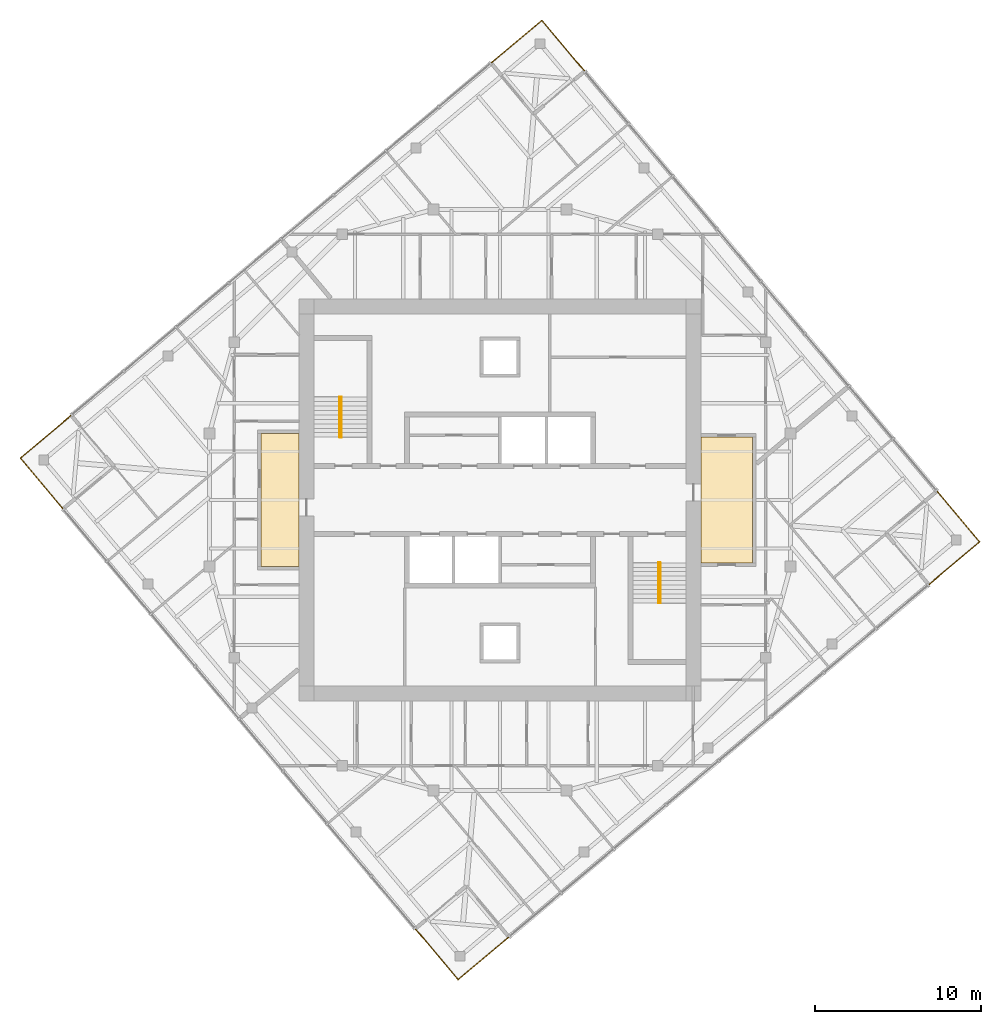
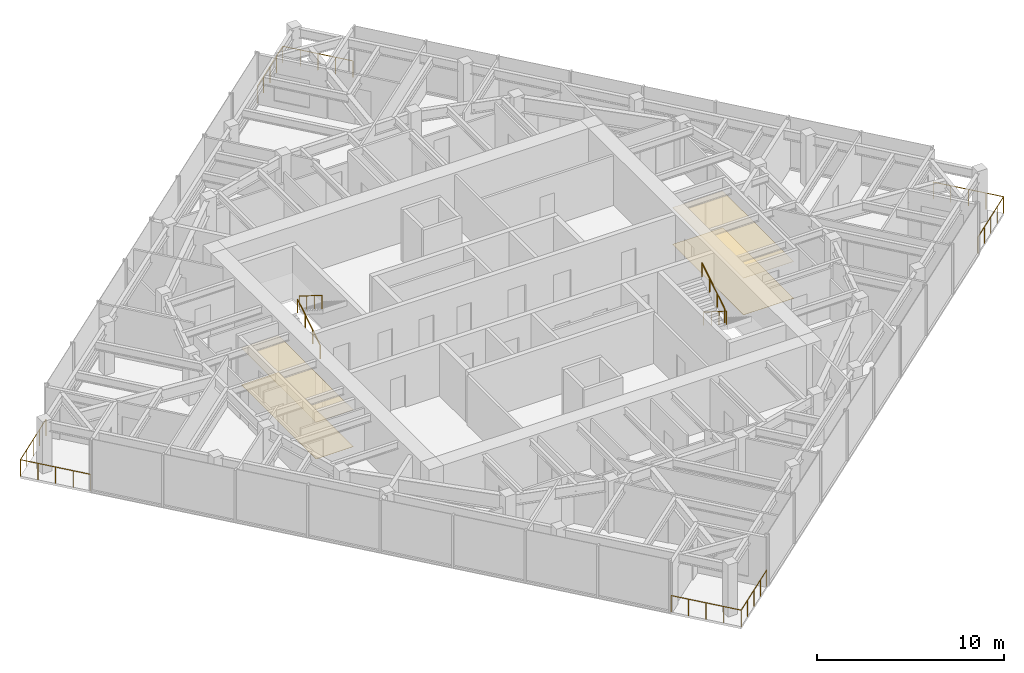
# One storey, part 12 of 12: 8 railings, 4 coverings, 2 elements without a shape of their own.
"""IFC4 building model written with IfcOpenShell, lengths in metres."""

from ifc_helpers import new_model, si_unit, direction, frame, origin, origin_2d, place, context, subcontext, project, spatial, polyline, circle, outline, extrude, material, layer, layer_set, type_object, element, aggregate, save


model = new_model("IFC4")

# Units and contexts
model_context = context("Model", 3, precision=1e-05, world=origin(), true_north=direction((0.0, 1.0)))
body_context = subcontext(model_context, "Body", "Model", "MODEL_VIEW")
ifc_project = project(units=[si_unit("LENGTHUNIT", "METRE"), si_unit("AREAUNIT", "SQUARE_METRE"), si_unit("VOLUMEUNIT", "CUBIC_METRE"), si_unit("PLANEANGLEUNIT", "RADIAN"), si_unit("MASSUNIT", "GRAM", prefix="KILO")], contexts=[model_context])

# Site, building, storey
site_placement = place(None, origin())
site = spatial("IfcSite", under=ifc_project, at=site_placement, CompositionType="ELEMENT")
building_placement = place(site_placement, origin())
building = spatial("IfcBuilding", under=site, at=building_placement, Name="Torsade Residences", CompositionType="ELEMENT")
storey_placement = place(building_placement, frame((0.0, 0.0, 282.800048828125)))
storey = spatial("IfcBuildingStorey", under=building, at=storey_placement, Name="L78", CompositionType="ELEMENT", Elevation=282.800048828125)

# Coverings
ifc_material_1 = material(Name="Nylon carpet tile on underlay", Category="textile")
ifc_layer_1 = layer(ifc_material_1, 0.010009765625)
ifc_layer_set_1 = layer_set([ifc_layer_1], Name="Nylon carpet tile on underlay")
covering_type_1 = type_object("IfcCoveringType", Name="CORRIDOR CARPET TILE 10", PredefinedType="FLOORING", material=ifc_layer_set_1)
covering_1_placement = place(storey_placement, origin())
element("IfcCovering", 1, at=covering_1_placement, inside=storey, type_object=covering_type_1, Name="Corridor carpet L78", PredefinedType="FLOORING", context=body_context, shape_type="SweptSolid", body=[
    extrude(outline(polyline([(55.199951171875, 26.199951171875), (55.199951171875, 33.800048828125), (52.10009765625, 33.800048828125), (52.10009765625, 26.199951171875), (55.199951171875, 26.199951171875)])), origin(), (0.0, 0.0, 1.0), 0.010009765625),
])
covering_2_placement = place(storey_placement, origin())
element("IfcCovering", 2, at=covering_2_placement, inside=storey, type_object=covering_type_1, Name="Corridor carpet west L78", PredefinedType="FLOORING", context=body_context, shape_type="SweptSolid", body=[
    extrude(outline(polyline([(27.89990234375, 26.0), (27.89990234375, 34.0), (25.60009765625, 34.0), (25.60009765625, 26.0), (27.89990234375, 26.0)])), origin(), (0.0, 0.0, 1.0), 0.010009765625),
])
ifc_material_2 = material(Name="Plasterboard on suspended steel grid", Category="steel")
ifc_layer_2 = layer(ifc_material_2, 0.012939453125)
ifc_layer_set_2 = layer_set([ifc_layer_2], Name="Plasterboard on suspended steel grid")
covering_type_2 = type_object("IfcCoveringType", Name="CORRIDOR SUSPENDED CEILING 13", PredefinedType="CEILING", material=ifc_layer_set_2)
covering_3_placement = place(storey_placement, frame((0.0, 0.0, 2.39990234375)))
element("IfcCovering", 3, at=covering_3_placement, inside=storey, type_object=covering_type_2, Name="Corridor ceiling L78", PredefinedType="CEILING", context=body_context, shape_type="SweptSolid", body=[
    extrude(outline(polyline([(55.199951171875, 26.199951171875), (55.199951171875, 33.800048828125), (52.10009765625, 33.800048828125), (52.10009765625, 26.199951171875), (55.199951171875, 26.199951171875)])), origin(), (0.0, 0.0, 1.0), 0.012939453125),
])
covering_4_placement = place(storey_placement, frame((0.0, 0.0, 2.39990234375)))
element("IfcCovering", 4, at=covering_4_placement, inside=storey, type_object=covering_type_2, Name="Corridor ceiling west L78", PredefinedType="CEILING", context=body_context, shape_type="SweptSolid", body=[
    extrude(outline(polyline([(27.89990234375, 26.0), (27.89990234375, 34.0), (25.60009765625, 34.0), (25.60009765625, 26.0), (27.89990234375, 26.0)])), origin(), (0.0, 0.0, 1.0), 0.012939453125),
])

# Stair, railings
ifc_material_3 = material(Name="Precast concrete 40 MPa", Category="concrete")
stair_type = type_object("IfcStairType", Name="HALF-TURN FIRE STAIR 1500x3400", PredefinedType="HALF_TURN_STAIR", material=ifc_material_3)
stair_1_placement = place(storey_placement, origin())
stair_1 = element("IfcStair", 5, at=stair_1_placement, inside=storey, type_object=stair_type, Name="Stair ST1 L78", PredefinedType="HALF_TURN_STAIR")
ifc_material_4 = material(Name="Steel handrail", Category="steel")
railing_type_1 = type_object("IfcRailingType", Name="STAIR HANDRAIL 900", PredefinedType="HANDRAIL", material=ifc_material_4)
railing_1_placement = place(storey_placement, frame((30.35009765625, 33.780029296875, 0.169921875)))
railing_1 = element("IfcRailing", 6, at=railing_1_placement, type_object=railing_type_1, Name="Handrail ST1 flight 1 L78", PredefinedType="HANDRAIL", context=body_context, shape_type="SweptSolid", body=[
    extrude(circle(Radius=0.02392578125, at=origin_2d()), frame((0.0, 0.0, 0.8759765625), z_axis=(0.0, 0.846221481393, 0.532831309544), x_axis=(-1.0, 0.0, 0.0)), (0.0, 0.0, 1.0), 2.87158203125),
    extrude(circle(Radius=0.02099609375, at=origin_2d()), origin(), (0.0, 0.0, 1.0), 0.851806640625),
    extrude(circle(Radius=0.02099609375, at=origin_2d()), frame((0.0, 0.81005859375, 0.510009765625)), (0.0, 0.0, 1.0), 0.851806640625),
    extrude(circle(Radius=0.02099609375, at=origin_2d()), frame((0.0, 1.619873046875, 1.02001953125)), (0.0, 0.0, 1.0), 0.851806640625),
    extrude(circle(Radius=0.02099609375, at=origin_2d()), frame((0.0, 2.429931640625, 1.530029296875)), (0.0, 0.0, 1.0), 0.851806640625),
])
railing_2_placement = place(storey_placement, frame((30.449951171875, 36.2099609375, 1.869873046875)))
railing_2 = element("IfcRailing", 7, at=railing_2_placement, type_object=railing_type_1, Name="Handrail ST1 flight 2 L78", PredefinedType="HANDRAIL", context=body_context, shape_type="SweptSolid", body=[
    extrude(circle(Radius=0.02392578125, at=origin_2d()), frame((0.0, 0.0, 0.8759765625), z_axis=(0.0, -0.846221481393, 0.532831309544), x_axis=(1.0, 0.0, 0.0)), (0.0, 0.0, 1.0), 2.87158203125),
    extrude(circle(Radius=0.02099609375, at=origin_2d()), origin(), (0.0, 0.0, 1.0), 0.851806640625),
    extrude(circle(Radius=0.02099609375, at=origin_2d()), frame((0.0, -0.81005859375, 0.510009765625)), (0.0, 0.0, 1.0), 0.851806640625),
    extrude(circle(Radius=0.02099609375, at=origin_2d()), frame((0.0, -1.619873046875, 1.02001953125)), (0.0, 0.0, 1.0), 0.851806640625),
    extrude(circle(Radius=0.02099609375, at=origin_2d()), frame((0.0, -2.429931640625, 1.530029296875)), (0.0, 0.0, 1.0), 0.851806640625),
])
aggregate(stair_1, [railing_1, railing_2])

stair_2_placement = place(storey_placement, origin())
stair_2 = element("IfcStair", 8, at=stair_2_placement, inside=storey, type_object=stair_type, Name="Stair ST2 L78", PredefinedType="HALF_TURN_STAIR")
railing_3_placement = place(storey_placement, frame((49.64990234375, 26.219970703125, 0.169921875)))
railing_3 = element("IfcRailing", 9, at=railing_3_placement, type_object=railing_type_1, Name="Handrail ST2 flight 1 L78", PredefinedType="HANDRAIL", context=body_context, shape_type="SweptSolid", body=[
    extrude(circle(Radius=0.02392578125, at=origin_2d()), frame((0.0, 0.0, 0.8759765625), z_axis=(0.0, -0.846221481393, 0.532831309544), x_axis=(1.0, 0.0, 0.0)), (0.0, 0.0, 1.0), 2.87158203125),
    extrude(circle(Radius=0.02099609375, at=origin_2d()), origin(), (0.0, 0.0, 1.0), 0.851806640625),
    extrude(circle(Radius=0.02099609375, at=origin_2d()), frame((0.0, -0.81005859375, 0.510009765625)), (0.0, 0.0, 1.0), 0.851806640625),
    extrude(circle(Radius=0.02099609375, at=origin_2d()), frame((0.0, -1.619873046875, 1.02001953125)), (0.0, 0.0, 1.0), 0.851806640625),
    extrude(circle(Radius=0.02099609375, at=origin_2d()), frame((0.0, -2.429931640625, 1.530029296875)), (0.0, 0.0, 1.0), 0.851806640625),
])
railing_4_placement = place(storey_placement, frame((49.550048828125, 23.7900390625, 1.869873046875)))
railing_4 = element("IfcRailing", 10, at=railing_4_placement, type_object=railing_type_1, Name="Handrail ST2 flight 2 L78", PredefinedType="HANDRAIL", context=body_context, shape_type="SweptSolid", body=[
    extrude(circle(Radius=0.02392578125, at=origin_2d()), frame((0.0, 0.0, 0.8759765625), z_axis=(0.0, 0.846221481393, 0.532831309544), x_axis=(-1.0, 0.0, 0.0)), (0.0, 0.0, 1.0), 2.87158203125),
    extrude(circle(Radius=0.02099609375, at=origin_2d()), origin(), (0.0, 0.0, 1.0), 0.851806640625),
    extrude(circle(Radius=0.02099609375, at=origin_2d()), frame((0.0, 0.81005859375, 0.510009765625)), (0.0, 0.0, 1.0), 0.851806640625),
    extrude(circle(Radius=0.02099609375, at=origin_2d()), frame((0.0, 1.619873046875, 1.02001953125)), (0.0, 0.0, 1.0), 0.851806640625),
    extrude(circle(Radius=0.02099609375, at=origin_2d()), frame((0.0, 2.429931640625, 1.530029296875)), (0.0, 0.0, 1.0), 0.851806640625),
])
aggregate(stair_2, [railing_3, railing_4])

# Railings
ifc_material_5 = material(Name="Laminated glass balustrade", Category="glass")
railing_type_2 = type_object("IfcRailingType", Name="TERRACE GLASS BALUSTRADE 1100", PredefinedType="BALUSTRADE", material=ifc_material_5)
railing_5_placement = place(storey_placement, frame((65.81689453125, 24.902099609375, 0.0)))
element("IfcRailing", 11, at=railing_5_placement, inside=storey, type_object=railing_type_2, Name="Terrace balustrade SE L78", PredefinedType="BALUSTRADE", context=body_context, shape_type="SweptSolid", body=[
    extrude(circle(Radius=0.02392578125, at=origin_2d()), frame((0.0, 0.0, 1.076171875), z_axis=(0.766060656284, 0.642768287094, 0.0), x_axis=(-0.642768287094, 0.766060656284, 0.0)), (0.0, 0.0, 1.0), 4.0),
    extrude(circle(Radius=0.02392578125, at=origin_2d()), frame((3.064208984375, 2.571044921875, 1.076171875), z_axis=(-0.642804103796, 0.766030602615, 0.0), x_axis=(-0.766030602615, -0.642804103796, 0.0)), (0.0, 0.0, 1.0), 4.0),
    extrude(circle(Radius=0.02099609375, at=origin_2d()), origin(), (0.0, 0.0, 1.0), 1.052001953125),
    extrude(circle(Radius=0.02099609375, at=origin_2d()), frame((0.76611328125, 0.642822265625, 0.0)), (0.0, 0.0, 1.0), 1.052001953125),
    extrude(circle(Radius=0.02099609375, at=origin_2d()), frame((1.5322265625, 1.28564453125, 0.0)), (0.0, 0.0, 1.0), 1.052001953125),
    extrude(circle(Radius=0.02099609375, at=origin_2d()), frame((2.298095703125, 1.92822265625, 0.0)), (0.0, 0.0, 1.0), 1.052001953125),
    extrude(circle(Radius=0.02099609375, at=origin_2d()), frame((3.064208984375, 2.571044921875, 0.0)), (0.0, 0.0, 1.0), 1.052001953125),
    extrude(circle(Radius=0.02099609375, at=origin_2d()), frame((2.42138671875, 3.337158203125, 0.0)), (0.0, 0.0, 1.0), 1.052001953125),
    extrude(circle(Radius=0.02099609375, at=origin_2d()), frame((1.778564453125, 4.10302734375, 0.0)), (0.0, 0.0, 1.0), 1.052001953125),
    extrude(circle(Radius=0.02099609375, at=origin_2d()), frame((1.1357421875, 4.869140625, 0.0)), (0.0, 0.0, 1.0), 1.052001953125),
    extrude(circle(Radius=0.02099609375, at=origin_2d()), frame((0.492919921875, 5.63525390625, 0.0)), (0.0, 0.0, 1.0), 1.052001953125),
])
railing_6_placement = place(storey_placement, frame((45.097900390625, 55.81689453125, 0.0)))
element("IfcRailing", 12, at=railing_6_placement, inside=storey, type_object=railing_type_2, Name="Terrace balustrade NE L78", PredefinedType="BALUSTRADE", context=body_context, shape_type="SweptSolid", body=[
    extrude(circle(Radius=0.02392578125, at=origin_2d()), frame((0.0, 0.0, 1.076171875), z_axis=(-0.642768287094, 0.766060656284, 0.0), x_axis=(-0.766060656284, -0.642768287094, 0.0)), (0.0, 0.0, 1.0), 4.0),
    extrude(circle(Radius=0.02392578125, at=origin_2d()), frame((-2.571044921875, 3.064208984375, 1.076171875), z_axis=(-0.766030602615, -0.642804103796, 0.0), x_axis=(0.642804103796, -0.766030602615, 0.0)), (0.0, 0.0, 1.0), 4.0),
    extrude(circle(Radius=0.02099609375, at=origin_2d()), origin(), (0.0, 0.0, 1.0), 1.052001953125),
    extrude(circle(Radius=0.02099609375, at=origin_2d()), frame((-0.642822265625, 0.76611328125, 0.0)), (0.0, 0.0, 1.0), 1.052001953125),
    extrude(circle(Radius=0.02099609375, at=origin_2d()), frame((-1.28564453125, 1.5322265625, 0.0)), (0.0, 0.0, 1.0), 1.052001953125),
    extrude(circle(Radius=0.02099609375, at=origin_2d()), frame((-1.92822265625, 2.298095703125, 0.0)), (0.0, 0.0, 1.0), 1.052001953125),
    extrude(circle(Radius=0.02099609375, at=origin_2d()), frame((-2.571044921875, 3.064208984375, 0.0)), (0.0, 0.0, 1.0), 1.052001953125),
    extrude(circle(Radius=0.02099609375, at=origin_2d()), frame((-3.337158203125, 2.42138671875, 0.0)), (0.0, 0.0, 1.0), 1.052001953125),
    extrude(circle(Radius=0.02099609375, at=origin_2d()), frame((-4.10302734375, 1.778564453125, 0.0)), (0.0, 0.0, 1.0), 1.052001953125),
    extrude(circle(Radius=0.02099609375, at=origin_2d()), frame((-4.869140625, 1.1357421875, 0.0)), (0.0, 0.0, 1.0), 1.052001953125),
    extrude(circle(Radius=0.02099609375, at=origin_2d()), frame((-5.63525390625, 0.492919921875, 0.0)), (0.0, 0.0, 1.0), 1.052001953125),
])
railing_7_placement = place(storey_placement, frame((14.18310546875, 35.097900390625, 0.0)))
element("IfcRailing", 13, at=railing_7_placement, inside=storey, type_object=railing_type_2, Name="Terrace balustrade NW L78", PredefinedType="BALUSTRADE", context=body_context, shape_type="SweptSolid", body=[
    extrude(circle(Radius=0.02392578125, at=origin_2d()), frame((0.0, 0.0, 1.076171875), z_axis=(-0.766060656284, -0.642768287094, 0.0), x_axis=(0.642768287094, -0.766060656284, 0.0)), (0.0, 0.0, 1.0), 4.0),
    extrude(circle(Radius=0.02392578125, at=origin_2d()), frame((-3.064208984375, -2.571044921875, 1.076171875), z_axis=(0.642804103796, -0.766030602615, 0.0), x_axis=(0.766030602615, 0.642804103796, 0.0)), (0.0, 0.0, 1.0), 4.0),
    extrude(circle(Radius=0.02099609375, at=origin_2d()), origin(), (0.0, 0.0, 1.0), 1.052001953125),
    extrude(circle(Radius=0.02099609375, at=origin_2d()), frame((-0.76611328125, -0.642822265625, 0.0)), (0.0, 0.0, 1.0), 1.052001953125),
    extrude(circle(Radius=0.02099609375, at=origin_2d()), frame((-1.5322265625, -1.28564453125, 0.0)), (0.0, 0.0, 1.0), 1.052001953125),
    extrude(circle(Radius=0.02099609375, at=origin_2d()), frame((-2.298095703125, -1.92822265625, 0.0)), (0.0, 0.0, 1.0), 1.052001953125),
    extrude(circle(Radius=0.02099609375, at=origin_2d()), frame((-3.064208984375, -2.571044921875, 0.0)), (0.0, 0.0, 1.0), 1.052001953125),
    extrude(circle(Radius=0.02099609375, at=origin_2d()), frame((-2.42138671875, -3.337158203125, 0.0)), (0.0, 0.0, 1.0), 1.052001953125),
    extrude(circle(Radius=0.02099609375, at=origin_2d()), frame((-1.778564453125, -4.10302734375, 0.0)), (0.0, 0.0, 1.0), 1.052001953125),
    extrude(circle(Radius=0.02099609375, at=origin_2d()), frame((-1.1357421875, -4.869140625, 0.0)), (0.0, 0.0, 1.0), 1.052001953125),
    extrude(circle(Radius=0.02099609375, at=origin_2d()), frame((-0.492919921875, -5.63525390625, 0.0)), (0.0, 0.0, 1.0), 1.052001953125),
])
railing_8_placement = place(storey_placement, frame((34.902099609375, 4.18310546875, 0.0)))
element("IfcRailing", 14, at=railing_8_placement, inside=storey, type_object=railing_type_2, Name="Terrace balustrade SW L78", PredefinedType="BALUSTRADE", context=body_context, shape_type="SweptSolid", body=[
    extrude(circle(Radius=0.02392578125, at=origin_2d()), frame((0.0, 0.0, 1.076171875), z_axis=(0.642768287094, -0.766060656284, 0.0), x_axis=(0.766060656284, 0.642768287094, 0.0)), (0.0, 0.0, 1.0), 4.0),
    extrude(circle(Radius=0.02392578125, at=origin_2d()), frame((2.571044921875, -3.064208984375, 1.076171875), z_axis=(0.766030602615, 0.642804103796, 0.0), x_axis=(-0.642804103796, 0.766030602615, 0.0)), (0.0, 0.0, 1.0), 4.0),
    extrude(circle(Radius=0.02099609375, at=origin_2d()), origin(), (0.0, 0.0, 1.0), 1.052001953125),
    extrude(circle(Radius=0.02099609375, at=origin_2d()), frame((0.642822265625, -0.76611328125, 0.0)), (0.0, 0.0, 1.0), 1.052001953125),
    extrude(circle(Radius=0.02099609375, at=origin_2d()), frame((1.28564453125, -1.5322265625, 0.0)), (0.0, 0.0, 1.0), 1.052001953125),
    extrude(circle(Radius=0.02099609375, at=origin_2d()), frame((1.92822265625, -2.298095703125, 0.0)), (0.0, 0.0, 1.0), 1.052001953125),
    extrude(circle(Radius=0.02099609375, at=origin_2d()), frame((2.571044921875, -3.064208984375, 0.0)), (0.0, 0.0, 1.0), 1.052001953125),
    extrude(circle(Radius=0.02099609375, at=origin_2d()), frame((3.337158203125, -2.42138671875, 0.0)), (0.0, 0.0, 1.0), 1.052001953125),
    extrude(circle(Radius=0.02099609375, at=origin_2d()), frame((4.10302734375, -1.778564453125, 0.0)), (0.0, 0.0, 1.0), 1.052001953125),
    extrude(circle(Radius=0.02099609375, at=origin_2d()), frame((4.869140625, -1.1357421875, 0.0)), (0.0, 0.0, 1.0), 1.052001953125),
    extrude(circle(Radius=0.02099609375, at=origin_2d()), frame((5.63525390625, -0.492919921875, 0.0)), (0.0, 0.0, 1.0), 1.052001953125),
])

save(model, "model.ifc")
